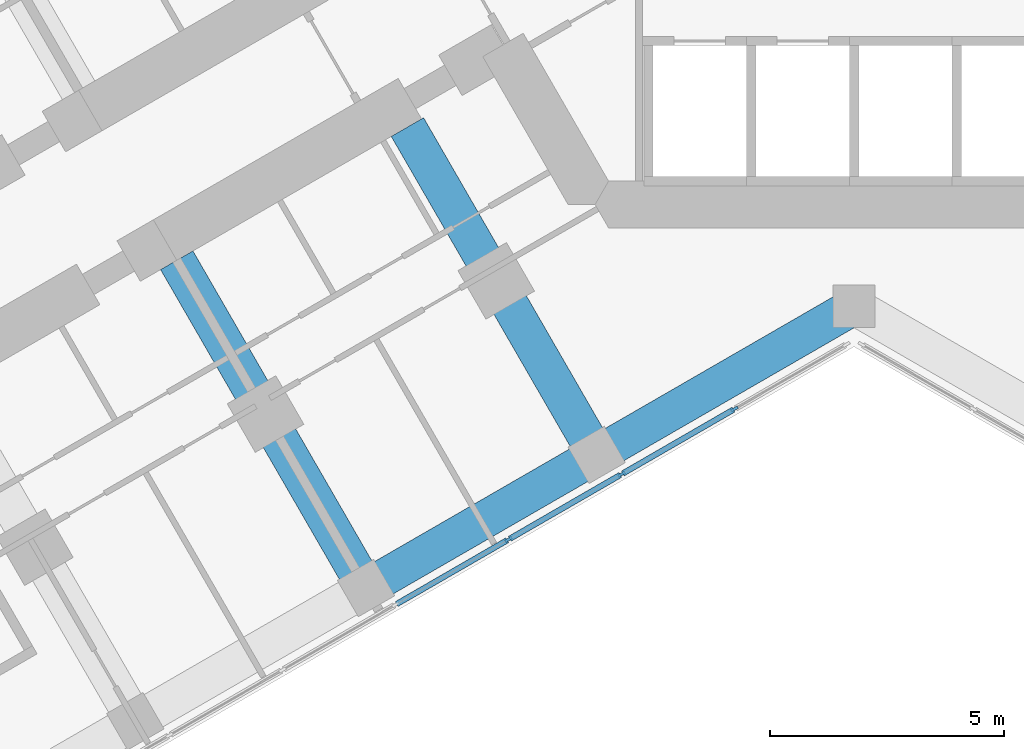
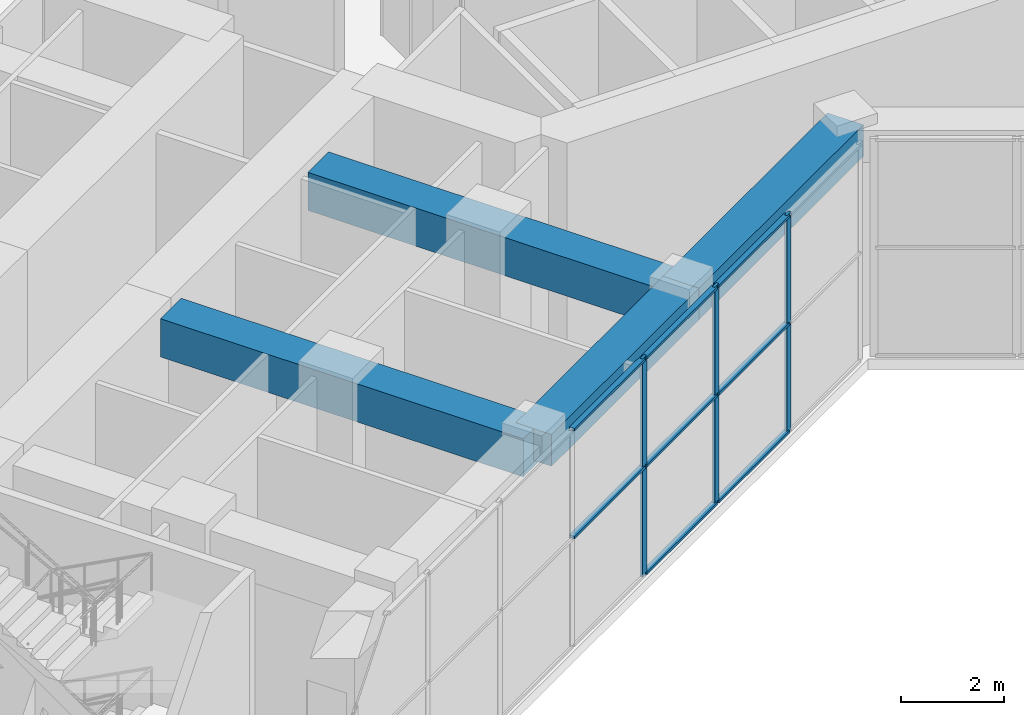
# One storey, part 3 of 23: 11 members, 4 beams, 1 element without a shape of its own.
"""IFC4 building model written with IfcOpenShell, lengths in metres."""

from ifc_helpers import new_model, si_unit, direction, frame, origin, origin_2d, place, context, subcontext, project, spatial, rectangle, extrude, material, material_profile, profile_set, type_object, element, aggregate, save


model = new_model("IFC4")

# Units and contexts
model_context = context("Model", 3, precision=1e-05, world=origin(), true_north=direction((0.0, 1.0)))
body_context = subcontext(model_context, "Body", "Model", "MODEL_VIEW")
ifc_project = project(units=[si_unit("LENGTHUNIT", "METRE"), si_unit("AREAUNIT", "SQUARE_METRE"), si_unit("VOLUMEUNIT", "CUBIC_METRE"), si_unit("PLANEANGLEUNIT", "RADIAN"), si_unit("MASSUNIT", "GRAM", prefix="KILO")], contexts=[model_context])

# Site, building, storey
site_placement = place(None, origin())
site = spatial("IfcSite", under=ifc_project, at=site_placement, CompositionType="ELEMENT")
building_placement = place(site_placement, origin())
building = spatial("IfcBuilding", under=site, at=building_placement, Name="Kosmar Iwan School Tower", CompositionType="ELEMENT")
storey_placement = place(building_placement, frame((0.0, 0.0, 75.39990234375)))
storey = spatial("IfcBuildingStorey", under=building, at=storey_placement, Name="L18", CompositionType="ELEMENT", Elevation=75.39990234375)

# Curtain wall, members
ifc_material_1 = material(Name="Dark glass in black aluminium frame", Category="aluminium")
curtain_wall_type = type_object("IfcCurtainWallType", Name="Winter garden curtain wall", PredefinedType="USERDEFINED", material=ifc_material_1)
curtain_wall_placement = place(storey_placement, origin())
curtain_wall = element("IfcCurtainWall", 1, at=curtain_wall_placement, inside=storey, type_object=curtain_wall_type, Name="Curtain wall L18-F00", ObjectType="WINTER GARDEN CURTAIN WALL", PredefinedType="USERDEFINED")
ifc_material_2 = material(Name="Black anodised aluminium", Category="aluminium")
ifc_material_profile_1 = material_profile(ifc_material_2, rectangle(XDim=0.06005859375, YDim=0.159912109375, at=origin_2d()), Name="MULLION 60x160")
ifc_profile_set_1 = profile_set([ifc_material_profile_1], Name="Black anodised aluminium")
member_type_1 = type_object("IfcMemberType", Name="Mullion 60x160", PredefinedType="MULLION", material=ifc_profile_set_1)
member_1_placement = place(storey_placement, frame((-2.556884765625, -13.975830078125, 0.0), z_axis=(0.0, 0.0, 1.0), x_axis=(0.500000014888, -0.866025395189, 0.0)))
member_1 = element("IfcMember", 2, at=member_1_placement, type_object=member_type_1, Name="CW7 mullion 2", PredefinedType="MULLION", context=body_context, shape_type="SweptSolid", body=[
    extrude(rectangle(XDim=0.06005859375, YDim=0.159912109375, at=origin_2d()), origin(), (0.0, 0.0, 1.0), 5.150146484375),
])
member_2_placement = place(storey_placement, frame((-4.975830078125, -15.37255859375, 0.0), z_axis=(0.0, 0.0, 1.0), x_axis=(0.500000014888, -0.866025395189, 0.0)))
member_2 = element("IfcMember", 3, at=member_2_placement, type_object=member_type_1, Name="CW7 mullion 3", PredefinedType="MULLION", context=body_context, shape_type="SweptSolid", body=[
    extrude(rectangle(XDim=0.06005859375, YDim=0.159912109375, at=origin_2d()), origin(), (0.0, 0.0, 1.0), 5.150146484375),
])
member_3_placement = place(storey_placement, frame((-7.39501953125, -16.76904296875, 0.0), z_axis=(0.0, 0.0, 1.0), x_axis=(0.500000014888, -0.866025395189, 0.0)))
member_3 = element("IfcMember", 4, at=member_3_placement, type_object=member_type_1, Name="CW7 mullion 4", PredefinedType="MULLION", context=body_context, shape_type="SweptSolid", body=[
    extrude(rectangle(XDim=0.06005859375, YDim=0.159912109375, at=origin_2d()), origin(), (0.0, 0.0, 1.0), 5.150146484375),
])

# Beams
ifc_material_3 = material(Name="Concrete C50/60", Category="concrete")
ifc_material_profile_2 = material_profile(ifc_material_3, rectangle(XDim=0.800048828125, YDim=0.75, at=origin_2d()), Name="RC 800x750")
ifc_profile_set_2 = profile_set([ifc_material_profile_2], Name="Concrete C50/60")
beam_type_1 = type_object("IfcBeamType", Name="RC edge beam 800x750", PredefinedType="BEAM", material=ifc_profile_set_2)
beam_1_placement = place(storey_placement, frame((0.0, -11.77783203125, 4.775146484375), z_axis=(-0.866014293216, -0.500019243575, 0.0), x_axis=(0.500019243575, -0.866014293216, 0.0)))
element("IfcBeam", 5, at=beam_1_placement, inside=storey, type_object=beam_type_1, Name="Edge beam BL1", PredefinedType="BEAM", context=body_context, shape_type="SweptSolid", body=[
    extrude(rectangle(XDim=0.800048828125, YDim=0.75, at=origin_2d()), origin(), (0.0, 0.0, 1.0), 6.361083984375),
])
beam_2_placement = place(storey_placement, frame((-5.5087890625, -14.95849609375, 4.775146484375), z_axis=(-0.866033658841, -0.49998570155, 0.0), x_axis=(0.49998570155, -0.866033658841, 0.0)))
element("IfcBeam", 6, at=beam_2_placement, inside=storey, type_object=beam_type_1, Name="Edge beam BL2", PredefinedType="BEAM", context=body_context, shape_type="SweptSolid", body=[
    extrude(rectangle(XDim=0.800048828125, YDim=0.75, at=origin_2d()), origin(), (0.0, 0.0, 1.0), 5.699951171875),
])
ifc_material_4 = material(Name="Concrete C50/60", Category="concrete")
ifc_material_profile_3 = material_profile(ifc_material_4, rectangle(XDim=0.800048828125, YDim=0.89990234375, at=origin_2d()), Name="RC 800x900")
ifc_profile_set_3 = profile_set([ifc_material_profile_3], Name="Concrete C50/60")
beam_type_2 = type_object("IfcBeamType", Name="RC transverse beam 800x900", PredefinedType="BEAM", material=ifc_profile_set_3)
beam_3_placement = place(storey_placement, frame((-5.5087890625, -14.95849609375, 4.7001953125), z_axis=(-0.499999880539, 0.866025472755, 0.0), x_axis=(-0.866025472755, -0.499999880539, 0.0)))
element("IfcBeam", 7, at=beam_3_placement, inside=storey, type_object=beam_type_2, Name="Transverse beam BL1", PredefinedType="BEAM", context=body_context, shape_type="SweptSolid", body=[
    extrude(rectangle(XDim=0.800048828125, YDim=0.89990234375, at=origin_2d()), origin(), (0.0, 0.0, 1.0), 8.10009765625),
])
beam_4_placement = place(storey_placement, frame((-10.445068359375, -17.808349609375, 4.7001953125), z_axis=(-0.500012932018, 0.866017937352, 0.0), x_axis=(-0.866017937352, -0.500012932018, 0.0)))
element("IfcBeam", 8, at=beam_4_placement, inside=storey, type_object=beam_type_2, Name="Transverse beam BL2", PredefinedType="BEAM", context=body_context, shape_type="SweptSolid", body=[
    extrude(rectangle(XDim=0.800048828125, YDim=0.89990234375, at=origin_2d()), origin(), (0.0, 0.0, 1.0), 8.099853515625),
])

# Member
ifc_material_5 = material(Name="Black anodised aluminium", Category="aluminium")
ifc_material_profile_4 = material_profile(ifc_material_5, rectangle(XDim=0.1201171875, YDim=0.06005859375, at=origin_2d()), Name="TRANSOM 60x120")
ifc_profile_set_4 = profile_set([ifc_material_profile_4], Name="Black anodised aluminium")
member_type_2 = type_object("IfcMemberType", Name="Transom 60x120", PredefinedType="USERDEFINED", material=ifc_profile_set_4)
member_4_placement = place(storey_placement, frame((-2.582763671875, -13.99072265625, 0.030029296875), z_axis=(-0.8660249478, -0.500000789788, 0.0), x_axis=(0.500000789788, -0.8660249478, 0.0)))
member_4 = element("IfcMember", 9, at=member_4_placement, type_object=member_type_2, Name="CW7 transom 2.1", ObjectType="TRANSOM", PredefinedType="USERDEFINED", context=body_context, shape_type="SweptSolid", body=[
    extrude(rectangle(XDim=0.1201171875, YDim=0.06005859375, at=origin_2d()), origin(), (0.0, 0.0, 1.0), 2.7333984375),
])

member_5_placement = place(storey_placement, frame((-2.582763671875, -13.99072265625, 2.5751953125), z_axis=(-0.8660249478, -0.500000789788, 0.0), x_axis=(0.500000789788, -0.8660249478, 0.0)))
member_5 = element("IfcMember", 10, at=member_5_placement, type_object=member_type_2, Name="CW7 transom 2.2", ObjectType="TRANSOM", PredefinedType="USERDEFINED", context=body_context, shape_type="SweptSolid", body=[
    extrude(rectangle(XDim=0.1201171875, YDim=0.06005859375, at=origin_2d()), origin(), (0.0, 0.0, 1.0), 2.7333984375),
])

member_6_placement = place(storey_placement, frame((-2.582763671875, -13.99072265625, 5.1201171875), z_axis=(-0.8660249478, -0.500000789788, 0.0), x_axis=(0.500000789788, -0.8660249478, 0.0)))
member_6 = element("IfcMember", 11, at=member_6_placement, type_object=member_type_2, Name="CW7 transom 2.3", ObjectType="TRANSOM", PredefinedType="USERDEFINED", context=body_context, shape_type="SweptSolid", body=[
    extrude(rectangle(XDim=0.1201171875, YDim=0.06005859375, at=origin_2d()), origin(), (0.0, 0.0, 1.0), 2.7333984375),
])

member_7_placement = place(storey_placement, frame((-5.001953125, -15.387451171875, 0.030029296875), z_axis=(-0.866002615699, -0.500039468044, 0.0), x_axis=(0.500039468044, -0.866002615699, 0.0)))
member_7 = element("IfcMember", 12, at=member_7_placement, type_object=member_type_2, Name="CW7 transom 3.1", ObjectType="TRANSOM", PredefinedType="USERDEFINED", context=body_context, shape_type="SweptSolid", body=[
    extrude(rectangle(XDim=0.1201171875, YDim=0.06005859375, at=origin_2d()), origin(), (0.0, 0.0, 1.0), 2.733154296875),
])

member_8_placement = place(storey_placement, frame((-5.001953125, -15.387451171875, 2.5751953125), z_axis=(-0.866002615699, -0.500039468044, 0.0), x_axis=(0.500039468044, -0.866002615699, 0.0)))
member_8 = element("IfcMember", 13, at=member_8_placement, type_object=member_type_2, Name="CW7 transom 3.2", ObjectType="TRANSOM", PredefinedType="USERDEFINED", context=body_context, shape_type="SweptSolid", body=[
    extrude(rectangle(XDim=0.1201171875, YDim=0.06005859375, at=origin_2d()), origin(), (0.0, 0.0, 1.0), 2.733154296875),
])

member_9_placement = place(storey_placement, frame((-5.001953125, -15.387451171875, 5.1201171875), z_axis=(-0.866002615699, -0.500039468044, 0.0), x_axis=(0.500039468044, -0.866002615699, 0.0)))
member_9 = element("IfcMember", 14, at=member_9_placement, type_object=member_type_2, Name="CW7 transom 3.3", ObjectType="TRANSOM", PredefinedType="USERDEFINED", context=body_context, shape_type="SweptSolid", body=[
    extrude(rectangle(XDim=0.1201171875, YDim=0.06005859375, at=origin_2d()), origin(), (0.0, 0.0, 1.0), 2.733154296875),
])

member_10_placement = place(storey_placement, frame((-7.4208984375, -16.7841796875, 2.5751953125), z_axis=(-0.866041295585, -0.499972473583, 0.0), x_axis=(0.499972473583, -0.866041295585, 0.0)))
member_10 = element("IfcMember", 15, at=member_10_placement, type_object=member_type_2, Name="CW7 transom 4.2", ObjectType="TRANSOM", PredefinedType="USERDEFINED", context=body_context, shape_type="SweptSolid", body=[
    extrude(rectangle(XDim=0.1201171875, YDim=0.06005859375, at=origin_2d()), origin(), (0.0, 0.0, 1.0), 2.733154296875),
])

member_11_placement = place(storey_placement, frame((-7.4208984375, -16.7841796875, 5.1201171875), z_axis=(-0.866041295585, -0.499972473583, 0.0), x_axis=(0.499972473583, -0.866041295585, 0.0)))
member_11 = element("IfcMember", 16, at=member_11_placement, type_object=member_type_2, Name="CW7 transom 4.3", ObjectType="TRANSOM", PredefinedType="USERDEFINED", context=body_context, shape_type="SweptSolid", body=[
    extrude(rectangle(XDim=0.1201171875, YDim=0.06005859375, at=origin_2d()), origin(), (0.0, 0.0, 1.0), 2.733154296875),
])

aggregate(curtain_wall, [member_1, member_2, member_3, member_4, member_5, member_6, member_7, member_8, member_9, member_10, member_11])

save(model, "model.ifc")
